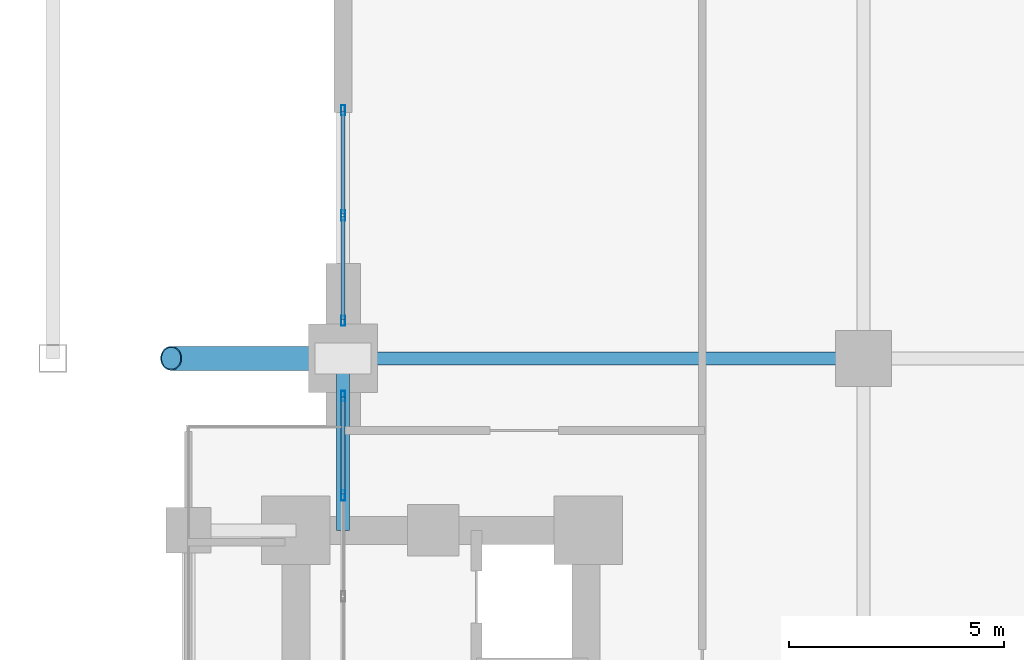
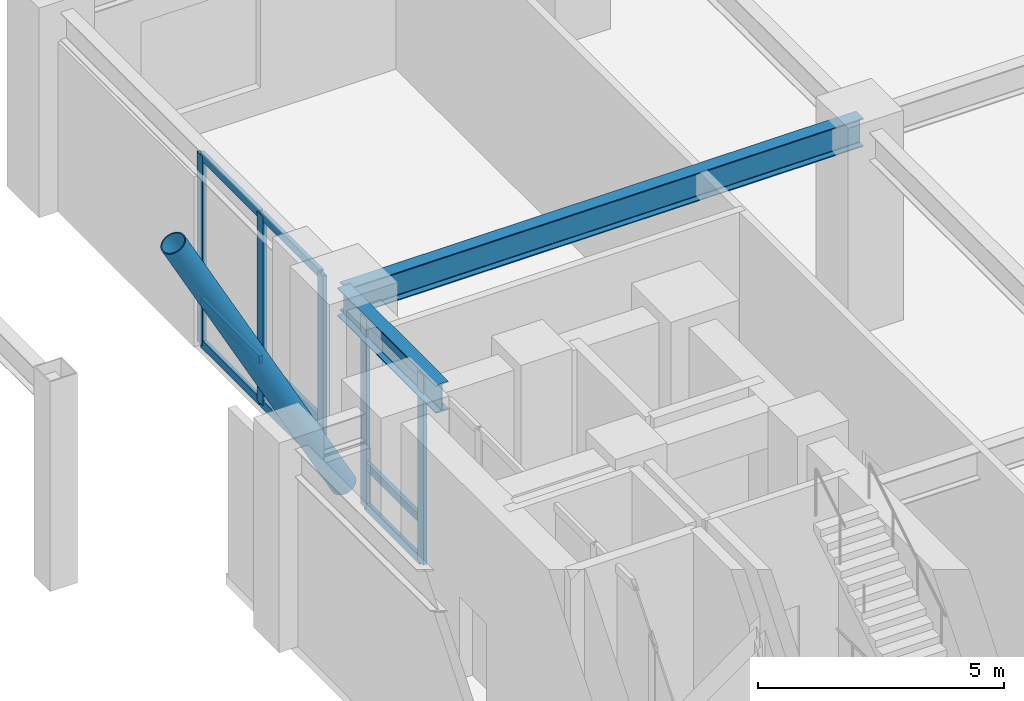
# One storey, part 14 of 27: 15 members, 2 beams, 2 elements without a shape of their own.
"""IFC4 building model written with IfcOpenShell, lengths in metres."""

from ifc_helpers import new_model, si_unit, direction, frame, origin, origin_2d, place, context, subcontext, project, spatial, hollow_rectangle, hollow_circle, i_section, extrude, material, layer, layer_set, material_profile, profile_set, type_object, element, aggregate, save


model = new_model("IFC4")

# Units and contexts
model_context = context("Model", 3, precision=1e-05, world=origin(), true_north=direction((0.0, 1.0)))
body_context = subcontext(model_context, "Body", "Model", "MODEL_VIEW")
ifc_project = project(units=[si_unit("LENGTHUNIT", "METRE"), si_unit("AREAUNIT", "SQUARE_METRE"), si_unit("VOLUMEUNIT", "CUBIC_METRE"), si_unit("PLANEANGLEUNIT", "RADIAN"), si_unit("MASSUNIT", "GRAM", prefix="KILO")], contexts=[model_context])

# Site, building, storey
site_placement = place(None, origin())
site = spatial("IfcSite", under=ifc_project, at=site_placement, CompositionType="ELEMENT")
building_placement = place(site_placement, origin())
building = spatial("IfcBuilding", under=site, at=building_placement, Name="Voryun Gate Residences", CompositionType="ELEMENT")
storey_placement = place(building_placement, frame((0.0, 0.0, 5.199951171875)))
storey = spatial("IfcBuildingStorey", under=building, at=storey_placement, Name="L01", CompositionType="ELEMENT", Elevation=5.199951171875)

# Beams
ifc_material_1 = material(Name="Steel SM355", Category="steel")
ifc_material_profile_1 = material_profile(ifc_material_1, i_section(OverallWidth=0.300048828125, OverallDepth=0.699951171875, WebThickness=0.012939453125, FlangeThickness=0.02392578125, FilletRadius=0.01806640625, at=origin_2d()), Name="H-700x300x13x24")
ifc_profile_set_1 = profile_set([ifc_material_profile_1], Name="Steel SM355")
beam_type = type_object("IfcBeamType", Name="BM_GIRD_700", PredefinedType="USERDEFINED", material=ifc_profile_set_1)
beam_1_placement = place(storey_placement, frame((13.5, 11.39990234375, 4.570068359375), z_axis=(1.0, 0.0, 0.0), x_axis=(0.0, 1.0, 0.0)))
element("IfcBeam", 1, at=beam_1_placement, inside=storey, type_object=beam_type, Name="BM-L01-PEX-+11.4-0", ObjectType="GIRDER", PredefinedType="USERDEFINED", context=body_context, shape_type="SweptSolid", body=[
    extrude(i_section(OverallWidth=0.300048828125, OverallDepth=0.699951171875, WebThickness=0.012939453125, FlangeThickness=0.02392578125, FilletRadius=0.01806640625, at=origin_2d()), origin(), (0.0, 0.0, 1.0), 12.10009765625),
])
beam_2_placement = place(storey_placement, frame((13.5, 7.39990234375, 4.570068359375), z_axis=(0.0, 1.0, 0.0), x_axis=(-1.0, 0.0, 0.0)))
element("IfcBeam", 2, at=beam_2_placement, inside=storey, type_object=beam_type, Name="BM-L01-PEYA-+7.4", ObjectType="GIRDER", PredefinedType="USERDEFINED", context=body_context, shape_type="SweptSolid", body=[
    extrude(i_section(OverallWidth=0.300048828125, OverallDepth=0.699951171875, WebThickness=0.012939453125, FlangeThickness=0.02392578125, FilletRadius=0.01806640625, at=origin_2d()), origin(), (0.0, 0.0, 1.0), 4.0),
])

# Curtain wall, members
ifc_material_2 = material(Name="Anodised aluminium", Category="aluminium")
ifc_layer = layer(ifc_material_2, 0.239990234375, Name="CW_SYS_ARCH_DARK_GLASS")
ifc_layer_set = layer_set([ifc_layer], Name="Anodised aluminium")
curtain_wall_type = type_object("IfcCurtainWallType", Name="CW_SYS_ARCH_DARK_GLASS", PredefinedType="NOTDEFINED", material=ifc_layer_set)
curtain_wall_1_placement = place(storey_placement, origin())
curtain_wall_1 = element("IfcCurtainWall", 3, at=curtain_wall_1_placement, inside=storey, type_object=curtain_wall_type, Name="Curtain wall CW2-L01-EP-M", PredefinedType="NOTDEFINED")
ifc_material_3 = material(Name="Anodised aluminium", Category="aluminium")
ifc_material_profile_2 = material_profile(ifc_material_3, hollow_rectangle(XDim=0.090087890625, YDim=0.239990234375, WallThickness=0.006103515625, at=origin_2d()), Name="ALU-MULL-240x90x6")
ifc_profile_set_2 = profile_set([ifc_material_profile_2], Name="Anodised aluminium")
member_type_1 = type_object("IfcMemberType", Name="CW_MULL_ARCH", PredefinedType="MULLION", material=ifc_profile_set_2)
member_1_placement = place(storey_placement, frame((13.5, 8.20947265625, 0.0), z_axis=(0.0, 0.0, 1.0), x_axis=(-1.0, 0.0, 0.0)))
member_1 = element("IfcMember", 4, at=member_1_placement, type_object=member_type_1, Name="CW2 mullion 9", PredefinedType="MULLION", context=body_context, shape_type="SweptSolid", body=[
    extrude(hollow_rectangle(XDim=0.090087890625, YDim=0.239990234375, WallThickness=0.006103515625, at=origin_2d()), origin(), (0.0, 0.0, 1.0), 4.699951171875),
])
member_2_placement = place(storey_placement, frame((13.5, 10.52490234375, 0.0), z_axis=(0.0, 0.0, 1.0), x_axis=(-1.0, 0.0, 0.0)))
member_2 = element("IfcMember", 5, at=member_2_placement, type_object=member_type_1, Name="CW2 mullion 10", PredefinedType="MULLION", context=body_context, shape_type="SweptSolid", body=[
    extrude(hollow_rectangle(XDim=0.090087890625, YDim=0.239990234375, WallThickness=0.006103515625, at=origin_2d()), origin(), (0.0, 0.0, 1.0), 4.699951171875),
])

curtain_wall_2_placement = place(storey_placement, origin())
curtain_wall_2 = element("IfcCurtainWall", 6, at=curtain_wall_2_placement, inside=storey, type_object=curtain_wall_type, Name="Curtain wall CW2-L01-EP-N", PredefinedType="NOTDEFINED")
member_3_placement = place(storey_placement, frame((13.5, 12.27490234375, 0.0), z_axis=(0.0, 0.0, 1.0), x_axis=(-1.0, 0.0, 0.0)))
member_3 = element("IfcMember", 7, at=member_3_placement, type_object=member_type_1, Name="CW2 mullion 1", PredefinedType="MULLION", context=body_context, shape_type="SweptSolid", body=[
    extrude(hollow_rectangle(XDim=0.090087890625, YDim=0.239990234375, WallThickness=0.006103515625, at=origin_2d()), origin(), (0.0, 0.0, 1.0), 4.699951171875),
])
member_4_placement = place(storey_placement, frame((13.5, 14.722412109375, 0.0), z_axis=(0.0, 0.0, 1.0), x_axis=(-1.0, 0.0, 0.0)))
member_4 = element("IfcMember", 8, at=member_4_placement, type_object=member_type_1, Name="CW2 mullion 2", PredefinedType="MULLION", context=body_context, shape_type="SweptSolid", body=[
    extrude(hollow_rectangle(XDim=0.090087890625, YDim=0.239990234375, WallThickness=0.006103515625, at=origin_2d()), origin(), (0.0, 0.0, 1.0), 4.699951171875),
])
member_5_placement = place(storey_placement, frame((13.5, 17.169921875, 0.0), z_axis=(0.0, 0.0, 1.0), x_axis=(-1.0, 0.0, 0.0)))
member_5 = element("IfcMember", 9, at=member_5_placement, type_object=member_type_1, Name="CW2 mullion 3", PredefinedType="MULLION", context=body_context, shape_type="SweptSolid", body=[
    extrude(hollow_rectangle(XDim=0.090087890625, YDim=0.239990234375, WallThickness=0.006103515625, at=origin_2d()), origin(), (0.0, 0.0, 1.0), 4.699951171875),
])

# Member
ifc_material_4 = material(Name="Anodised aluminium", Category="aluminium")
ifc_material_profile_3 = material_profile(ifc_material_4, hollow_rectangle(XDim=0.090087890625, YDim=0.199951171875, WallThickness=0.006103515625, at=origin_2d()), Name="ALU-TRAN-200x90x6")
ifc_profile_set_3 = profile_set([ifc_material_profile_3], Name="Anodised aluminium")
member_type_2 = type_object("IfcMemberType", Name="CW_TRAN_ARCH", PredefinedType="USERDEFINED", material=ifc_profile_set_3)
member_6_placement = place(storey_placement, frame((13.5, 8.239501953125, 0.030029296875), z_axis=(0.0, 1.0, 0.0), x_axis=(-1.0, 0.0, 0.0)))
member_6 = element("IfcMember", 10, at=member_6_placement, type_object=member_type_2, Name="CW2 transom 9.1", ObjectType="TRANSOM", PredefinedType="USERDEFINED", context=body_context, shape_type="SweptSolid", body=[
    extrude(hollow_rectangle(XDim=0.090087890625, YDim=0.199951171875, WallThickness=0.006103515625, at=origin_2d()), origin(), (0.0, 0.0, 1.0), 2.255615234375),
])

member_7_placement = place(storey_placement, frame((13.5, 8.239501953125, 1.050048828125), z_axis=(0.0, 1.0, 0.0), x_axis=(-1.0, 0.0, 0.0)))
member_7 = element("IfcMember", 11, at=member_7_placement, type_object=member_type_2, Name="CW2 transom 9.2", ObjectType="TRANSOM", PredefinedType="USERDEFINED", context=body_context, shape_type="SweptSolid", body=[
    extrude(hollow_rectangle(XDim=0.090087890625, YDim=0.199951171875, WallThickness=0.006103515625, at=origin_2d()), origin(), (0.0, 0.0, 1.0), 2.255615234375),
])

member_8_placement = place(storey_placement, frame((13.5, 8.239501953125, 4.670166015625), z_axis=(0.0, 1.0, 0.0), x_axis=(-1.0, 0.0, 0.0)))
member_8 = element("IfcMember", 12, at=member_8_placement, type_object=member_type_2, Name="CW2 transom 9.3", ObjectType="TRANSOM", PredefinedType="USERDEFINED", context=body_context, shape_type="SweptSolid", body=[
    extrude(hollow_rectangle(XDim=0.090087890625, YDim=0.199951171875, WallThickness=0.006103515625, at=origin_2d()), origin(), (0.0, 0.0, 1.0), 2.255615234375),
])

aggregate(curtain_wall_1, [member_1, member_2, member_6, member_7, member_8])

member_9_placement = place(storey_placement, frame((13.5, 12.304931640625, 0.030029296875), z_axis=(0.0, 1.0, 0.0), x_axis=(-1.0, 0.0, 0.0)))
member_9 = element("IfcMember", 13, at=member_9_placement, type_object=member_type_2, Name="CW2 transom 1.1", ObjectType="TRANSOM", PredefinedType="USERDEFINED", context=body_context, shape_type="SweptSolid", body=[
    extrude(hollow_rectangle(XDim=0.090087890625, YDim=0.199951171875, WallThickness=0.006103515625, at=origin_2d()), origin(), (0.0, 0.0, 1.0), 2.387451171875),
])

member_10_placement = place(storey_placement, frame((13.5, 12.304931640625, 1.050048828125), z_axis=(0.0, 1.0, 0.0), x_axis=(-1.0, 0.0, 0.0)))
member_10 = element("IfcMember", 14, at=member_10_placement, type_object=member_type_2, Name="CW2 transom 1.2", ObjectType="TRANSOM", PredefinedType="USERDEFINED", context=body_context, shape_type="SweptSolid", body=[
    extrude(hollow_rectangle(XDim=0.090087890625, YDim=0.199951171875, WallThickness=0.006103515625, at=origin_2d()), origin(), (0.0, 0.0, 1.0), 2.387451171875),
])

member_11_placement = place(storey_placement, frame((13.5, 12.304931640625, 4.670166015625), z_axis=(0.0, 1.0, 0.0), x_axis=(-1.0, 0.0, 0.0)))
member_11 = element("IfcMember", 15, at=member_11_placement, type_object=member_type_2, Name="CW2 transom 1.3", ObjectType="TRANSOM", PredefinedType="USERDEFINED", context=body_context, shape_type="SweptSolid", body=[
    extrude(hollow_rectangle(XDim=0.090087890625, YDim=0.199951171875, WallThickness=0.006103515625, at=origin_2d()), origin(), (0.0, 0.0, 1.0), 2.387451171875),
])

member_12_placement = place(storey_placement, frame((13.5, 14.75244140625, 0.030029296875), z_axis=(0.0, 1.0, 0.0), x_axis=(-1.0, 0.0, 0.0)))
member_12 = element("IfcMember", 16, at=member_12_placement, type_object=member_type_2, Name="CW2 transom 2.1", ObjectType="TRANSOM", PredefinedType="USERDEFINED", context=body_context, shape_type="SweptSolid", body=[
    extrude(hollow_rectangle(XDim=0.090087890625, YDim=0.199951171875, WallThickness=0.006103515625, at=origin_2d()), origin(), (0.0, 0.0, 1.0), 2.387451171875),
])

member_13_placement = place(storey_placement, frame((13.5, 14.75244140625, 1.050048828125), z_axis=(0.0, 1.0, 0.0), x_axis=(-1.0, 0.0, 0.0)))
member_13 = element("IfcMember", 17, at=member_13_placement, type_object=member_type_2, Name="CW2 transom 2.2", ObjectType="TRANSOM", PredefinedType="USERDEFINED", context=body_context, shape_type="SweptSolid", body=[
    extrude(hollow_rectangle(XDim=0.090087890625, YDim=0.199951171875, WallThickness=0.006103515625, at=origin_2d()), origin(), (0.0, 0.0, 1.0), 2.387451171875),
])

member_14_placement = place(storey_placement, frame((13.5, 14.75244140625, 4.670166015625), z_axis=(0.0, 1.0, 0.0), x_axis=(-1.0, 0.0, 0.0)))
member_14 = element("IfcMember", 18, at=member_14_placement, type_object=member_type_2, Name="CW2 transom 2.3", ObjectType="TRANSOM", PredefinedType="USERDEFINED", context=body_context, shape_type="SweptSolid", body=[
    extrude(hollow_rectangle(XDim=0.090087890625, YDim=0.199951171875, WallThickness=0.006103515625, at=origin_2d()), origin(), (0.0, 0.0, 1.0), 2.387451171875),
])

aggregate(curtain_wall_2, [member_3, member_4, member_5, member_9, member_10, member_11, member_12, member_13, member_14])

ifc_material_5 = material(Name="Steel SM420", Category="steel")
ifc_material_profile_4 = material_profile(ifc_material_5, hollow_circle(Radius=0.280029296875, WallThickness=0.02587890625, at=origin_2d()), Name="CHS-560x26")
ifc_profile_set_4 = profile_set([ifc_material_profile_4], Name="Steel SM420")
member_type_3 = type_object("IfcMemberType", Name="MBR_CANT_STRUT_B2", PredefinedType="STRUT", material=ifc_profile_set_4)
member_15_placement = place(storey_placement, frame((9.5, 11.39990234375, 7.3701171875), z_axis=(0.477007051349, 0.0, -0.878899466926), x_axis=(0.0, 1.0, 0.0)))
element("IfcMember", 19, at=member_15_placement, inside=storey, type_object=member_type_3, Name="Parabolic Tied-Arch Rib Member N Segment 8", PredefinedType="STRUT", context=body_context, shape_type="SweptSolid", body=[
    extrude(hollow_circle(Radius=0.280029296875, WallThickness=0.02587890625, at=origin_2d()), origin(), (0.0, 0.0, 1.0), 8.3857421875),
])

save(model, "model.ifc")
